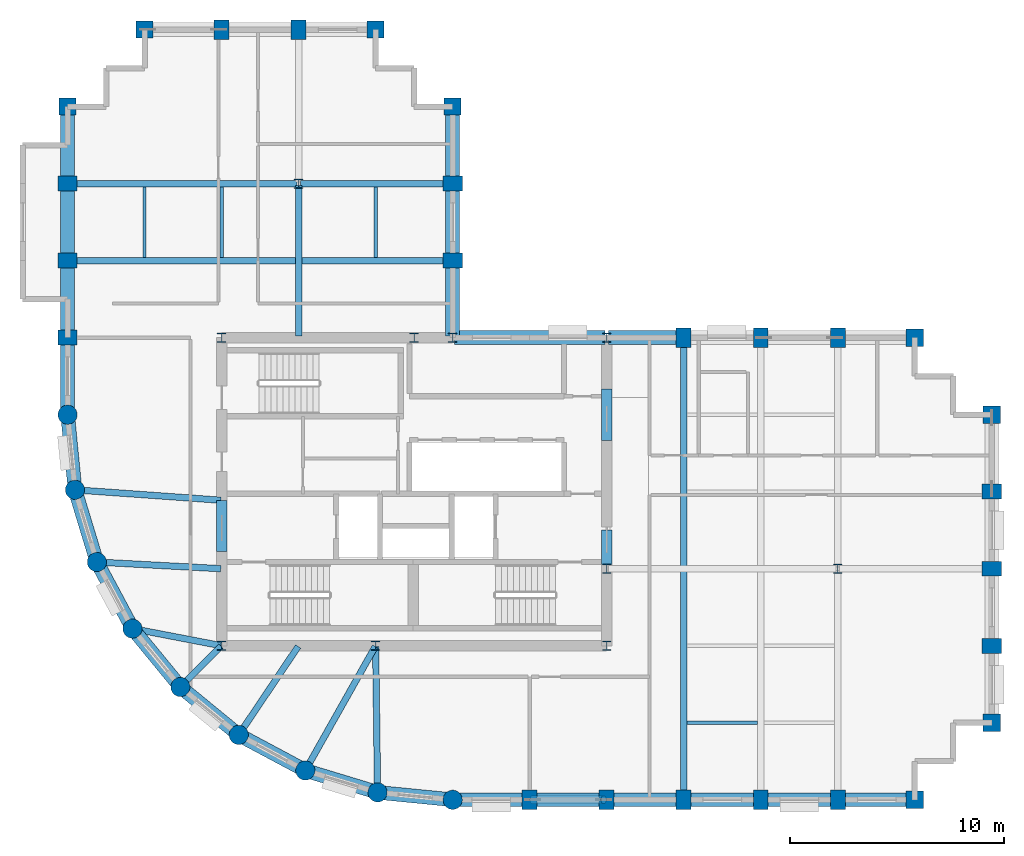
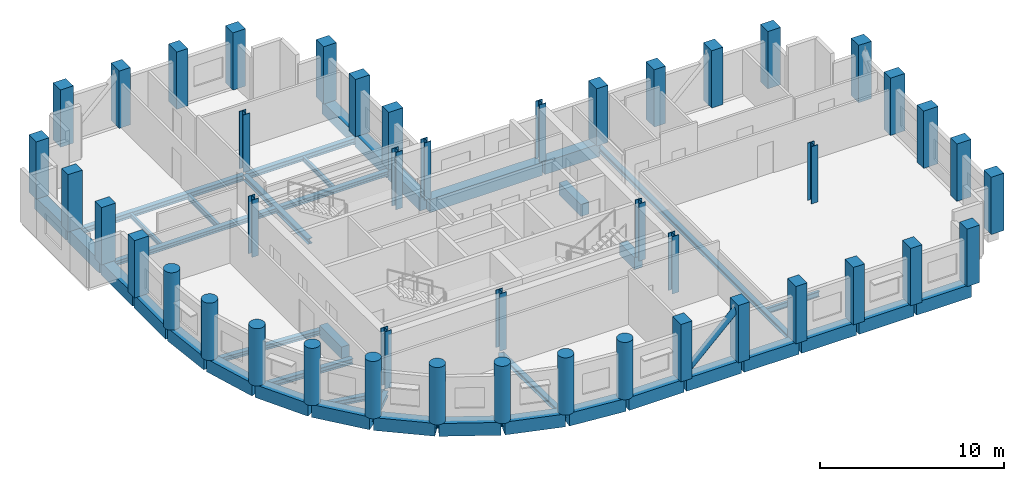
# One storey, part 1 of 8: 45 columns, 42 beams, 1 member.
"""IFC4 building model written with IfcOpenShell, lengths in metres."""

from ifc_helpers import new_model, si_unit, direction, frame, origin, origin_2d, place, context, subcontext, project, spatial, rectangle, circle, hollow_circle, i_section, extrude, material, material_profile, profile_set, type_object, element, save


model = new_model("IFC4")

# Units and contexts
model_context = context("Model", 3, precision=1e-05, world=origin(), true_north=direction((0.0, 1.0)))
body_context = subcontext(model_context, "Body", "Model", "MODEL_VIEW")
ifc_project = project(units=[si_unit("LENGTHUNIT", "METRE"), si_unit("AREAUNIT", "SQUARE_METRE"), si_unit("VOLUMEUNIT", "CUBIC_METRE"), si_unit("PLANEANGLEUNIT", "RADIAN"), si_unit("MASSUNIT", "GRAM", prefix="KILO")], contexts=[model_context])

# Site, building, storey
site_placement = place(None, origin())
site = spatial("IfcSite", under=ifc_project, at=site_placement, CompositionType="ELEMENT")
building_placement = place(site_placement, origin())
building = spatial("IfcBuilding", under=site, at=building_placement, Name="Solnavia Interchange Tower", CompositionType="ELEMENT")
storey_placement = place(building_placement, frame((0.0, 0.0, 190.0)))
storey = spatial("IfcBuildingStorey", under=building, at=storey_placement, Name="L47", CompositionType="ELEMENT", Elevation=190.0)

# Columns
ifc_material_1 = material(Name="Concrete C50/60", Category="concrete")
ifc_material_profile_1 = material_profile(ifc_material_1, rectangle(XDim=0.800048828125, YDim=0.800048828125, at=origin_2d()), Name="RC 800x800")
ifc_profile_set_1 = profile_set([ifc_material_profile_1], Name="Concrete C50/60")
column_type_1 = type_object("IfcColumnType", Name="Col-RC-800x800", PredefinedType="COLUMN", material=ifc_profile_set_1)
for number, where, z_axis, x_axis, name in (
    (1, (7.199951171875, 36.0, 0.0), (0.0, 0.0, 1.0), (0.0, 1.0, 0.0), "COL-L47-05 Tower corner column"),
    (2, (10.800048828125, 39.60009765625, 0.0), (0.0, 0.0, 1.0), (1.0, 0.0, 0.0), "COL-L47-09 Tower corner column"),
    (3, (21.60009765625, 39.60009765625, 0.0), (0.0, 0.0, 1.0), (1.0, 0.0, 0.0), "COL-L47-19 Tower corner column"),
    (4, (25.199951171875, 36.0, 0.0), (0.0, 0.0, 1.0), (0.0, 1.0, 0.0), "COL-L47-26 Tower corner column"),
    (5, (46.800048828125, 3.60009765625, 0.0), (0.0, 0.0, 1.0), (1.0, 0.0, 0.0), "COL-L47-39 Tower corner column"),
    (6, (46.800048828125, 25.199951171875, 0.0), (0.0, 0.0, 1.0), (1.0, 0.0, 0.0), "COL-L47-40 Tower corner column"),
    (7, (50.39990234375, 7.199951171875, 0.0), (0.0, 0.0, 1.0), (1.0, 0.0, 0.0), "COL-L47-41 Tower corner column"),
    (8, (50.39990234375, 21.60009765625, 0.0), (0.0, 0.0, 1.0), (0.0, 1.0, 0.0), "COL-L47-45 Tower corner column"),
):
    element("IfcColumn", number, at=place(storey_placement, frame(where, z_axis=z_axis, x_axis=x_axis)), inside=storey, type_object=column_type_1, Name=name, PredefinedType="COLUMN", context=body_context, shape_type="SweptSolid", body=[
        extrude(rectangle(XDim=0.800048828125, YDim=0.800048828125, at=origin_2d()), origin(), (0.0, 0.0, 1.0), 3.800048828125),
    ])
ifc_material_profile_2 = material_profile(ifc_material_1, rectangle(XDim=0.699951171875, YDim=0.89990234375, at=origin_2d()), Name="RC 900x700")
ifc_profile_set_2 = profile_set([ifc_material_profile_2], Name="Concrete C50/60")
column_type_2 = type_object("IfcColumnType", Name="Col-RC-900x700", PredefinedType="COLUMN", material=ifc_profile_set_2)
for number, where, z_axis, x_axis, name in (
    (9, (7.199951171875, 25.199951171875, 0.0), (0.0, 0.0, 1.0), (0.0, 1.0, 0.0), "COL-L47-02 Tower perim y column"),
    (10, (7.199951171875, 28.800048828125, 0.0), (0.0, 0.0, 1.0), (0.0, 1.0, 0.0), "COL-L47-03 Tower perim y column"),
    (11, (7.199951171875, 32.39990234375, 0.0), (0.0, 0.0, 1.0), (0.0, 1.0, 0.0), "COL-L47-04 Tower perim y column"),
    (12, (14.39990234375, 39.60009765625, 0.0), (0.0, 0.0, 1.0), (1.0, 0.0, 0.0), "COL-L47-13 Tower perim x column"),
    (13, (18.0, 39.60009765625, 0.0), (0.0, 0.0, 1.0), (1.0, 0.0, 0.0), "COL-L47-16 Tower perim x column"),
    (14, (25.199951171875, 28.800048828125, 0.0), (0.0, 0.0, 1.0), (0.0, 1.0, 0.0), "COL-L47-24 Tower perim y column"),
    (15, (25.199951171875, 32.39990234375, 0.0), (0.0, 0.0, 1.0), (0.0, 1.0, 0.0), "COL-L47-25 Tower perim y column"),
    (16, (28.800048828125, 3.60009765625, 0.0), (0.0, 0.0, 1.0), (1.0, 0.0, 0.0), "COL-L47-27 Tower perim x column"),
    (17, (32.39990234375, 3.60009765625, 0.0), (0.0, 0.0, 1.0), (1.0, 0.0, 0.0), "COL-L47-28 Tower perim x column"),
    (18, (36.0, 3.60009765625, 0.0), (0.0, 0.0, 1.0), (1.0, 0.0, 0.0), "COL-L47-32 Tower perim x column"),
    (19, (36.0, 25.199951171875, 0.0), (0.0, 0.0, 1.0), (1.0, 0.0, 0.0), "COL-L47-33 Tower perim x column"),
    (20, (39.60009765625, 3.60009765625, 0.0), (0.0, 0.0, 1.0), (1.0, 0.0, 0.0), "COL-L47-34 Tower perim x column"),
    (21, (39.60009765625, 25.199951171875, 0.0), (0.0, 0.0, 1.0), (1.0, 0.0, 0.0), "COL-L47-35 Tower perim x column"),
    (22, (43.199951171875, 3.60009765625, 0.0), (0.0, 0.0, 1.0), (1.0, 0.0, 0.0), "COL-L47-36 Tower perim x column"),
    (23, (43.199951171875, 25.199951171875, 0.0), (0.0, 0.0, 1.0), (1.0, 0.0, 0.0), "COL-L47-38 Tower perim x column"),
    (24, (50.39990234375, 10.800048828125, 0.0), (0.0, 0.0, 1.0), (0.0, 1.0, 0.0), "COL-L47-42 Tower perim y column"),
    (25, (50.39990234375, 14.39990234375, 0.0), (0.0, 0.0, 1.0), (0.0, 1.0, 0.0), "COL-L47-43 Tower perim y column"),
    (26, (50.39990234375, 18.0, 0.0), (0.0, 0.0, 1.0), (0.0, 1.0, 0.0), "COL-L47-44 Tower perim y column"),
):
    element("IfcColumn", number, at=place(storey_placement, frame(where, z_axis=z_axis, x_axis=x_axis)), inside=storey, type_object=column_type_2, Name=name, PredefinedType="COLUMN", context=body_context, shape_type="SweptSolid", body=[
        extrude(rectangle(XDim=0.699951171875, YDim=0.89990234375, at=origin_2d()), origin(), (0.0, 0.0, 1.0), 3.800048828125),
    ])
ifc_material_profile_3 = material_profile(ifc_material_1, circle(Radius=0.449951171875, at=origin_2d()), Name="RC D900")
ifc_profile_set_3 = profile_set([ifc_material_profile_3], Name="Concrete C50/60")
column_type_3 = type_object("IfcColumnType", Name="Col-RC-D900", PredefinedType="COLUMN", material=ifc_profile_set_3)
for number, where, z_axis, x_axis, name in (
    (27, (7.199951171875, 21.60009765625, 0.0), (0.0, 0.0, 1.0), (1.0, 0.0, 0.0), "COL-L47-01 Tower drum column"),
    (28, (7.5458984375, 18.087890625, 0.0), (0.0, 0.0, 1.0), (1.0, 0.0, 0.0), "COL-L47-06 Tower drum column"),
    (29, (8.570068359375, 14.7119140625, 0.0), (0.0, 0.0, 1.0), (1.0, 0.0, 0.0), "COL-L47-07 Tower drum column"),
    (30, (10.23388671875, 11.60009765625, 0.0), (0.0, 0.0, 1.0), (1.0, 0.0, 0.0), "COL-L47-08 Tower drum column"),
    (31, (12.471923828125, 8.8720703125, 0.0), (0.0, 0.0, 1.0), (1.0, 0.0, 0.0), "COL-L47-10 Tower drum column"),
    (32, (15.199951171875, 6.634033203125, 0.0), (0.0, 0.0, 1.0), (1.0, 0.0, 0.0), "COL-L47-14 Tower drum column"),
    (33, (18.31201171875, 4.969970703125, 0.0), (0.0, 0.0, 1.0), (1.0, 0.0, 0.0), "COL-L47-17 Tower drum column"),
    (34, (21.68798828125, 3.946044921875, 0.0), (0.0, 0.0, 1.0), (1.0, 0.0, 0.0), "COL-L47-20 Tower drum column"),
    (35, (25.199951171875, 3.60009765625, 0.0), (0.0, 0.0, 1.0), (1.0, 0.0, 0.0), "COL-L47-22 Tower drum column"),
):
    element("IfcColumn", number, at=place(storey_placement, frame(where, z_axis=z_axis, x_axis=x_axis)), inside=storey, type_object=column_type_3, Name=name, PredefinedType="COLUMN", context=body_context, shape_type="SweptSolid", body=[
        extrude(circle(Radius=0.449951171875, at=origin_2d()), origin(), (0.0, 0.0, 1.0), 3.800048828125),
    ])
ifc_material_2 = material(Name="Steel S355", Category="steel")
ifc_material_profile_4 = material_profile(ifc_material_2, i_section(OverallWidth=0.416015625, OverallDepth=0.44189453125, WebThickness=0.02490234375, FlangeThickness=0.041015625, FilletRadius=0.014892578125, at=origin_2d()), Name="HD 400x382")
ifc_profile_set_4 = profile_set([ifc_material_profile_4], Name="Steel S355")
column_type_4 = type_object("IfcColumnType", Name="Col-Steel-HD400x382", PredefinedType="COLUMN", material=ifc_profile_set_4)
for number, where, z_axis, x_axis, name in (
    (36, (14.39990234375, 10.800048828125, 0.0), (0.0, 0.0, 1.0), (1.0, 0.0, 0.0), "COL-L47-11 Tower interior column"),
    (37, (14.39990234375, 25.199951171875, 0.0), (0.0, 0.0, 1.0), (1.0, 0.0, 0.0), "COL-L47-12 Tower interior column"),
    (38, (18.0, 32.39990234375, 0.0), (0.0, 0.0, 1.0), (1.0, 0.0, 0.0), "COL-L47-15 Tower interior column"),
    (39, (21.60009765625, 10.800048828125, 0.0), (0.0, 0.0, 1.0), (1.0, 0.0, 0.0), "COL-L47-18 Tower interior column"),
    (40, (23.39990234375, 25.199951171875, 0.0), (0.0, 0.0, 1.0), (1.0, 0.0, 0.0), "COL-L47-21 Tower interior column"),
    (41, (25.199951171875, 25.199951171875, 0.0), (0.0, 0.0, 1.0), (1.0, 0.0, 0.0), "COL-L47-23 Tower interior column"),
    (42, (32.39990234375, 10.800048828125, 0.0), (0.0, 0.0, 1.0), (1.0, 0.0, 0.0), "COL-L47-29 Tower interior column"),
    (43, (32.39990234375, 14.39990234375, 0.0), (0.0, 0.0, 1.0), (1.0, 0.0, 0.0), "COL-L47-30 Tower interior column"),
    (44, (32.39990234375, 25.199951171875, 0.0), (0.0, 0.0, 1.0), (1.0, 0.0, 0.0), "COL-L47-31 Tower interior column"),
    (45, (43.199951171875, 14.39990234375, 0.0), (0.0, 0.0, 1.0), (1.0, 0.0, 0.0), "COL-L47-37 Tower interior column"),
):
    element("IfcColumn", number, at=place(storey_placement, frame(where, z_axis=z_axis, x_axis=x_axis)), inside=storey, type_object=column_type_4, Name=name, PredefinedType="COLUMN", context=body_context, shape_type="SweptSolid", body=[
        extrude(i_section(OverallWidth=0.416015625, OverallDepth=0.44189453125, WebThickness=0.02490234375, FlangeThickness=0.041015625, FilletRadius=0.014892578125, at=origin_2d()), origin(), (0.0, 0.0, 1.0), 3.800048828125),
    ])

# Beams
ifc_material_profile_5 = material_profile(ifc_material_1, rectangle(XDim=0.5, YDim=0.800048828125, at=origin_2d()), Name="RC 500x800")
ifc_profile_set_5 = profile_set([ifc_material_profile_5], Name="Concrete C50/60")
beam_type_1 = type_object("IfcBeamType", Name="Beam-Coupling-RC500x800", PredefinedType="LINTEL", material=ifc_profile_set_5)
beam_1_placement = place(storey_placement, frame((14.39990234375, 15.199951171875, -0.39990234375), z_axis=(0.0, 1.0, 0.0), x_axis=(-1.0, 0.0, 0.0)))
element("IfcBeam", 46, at=beam_1_placement, inside=storey, type_object=beam_type_1, Name="CPB-L47-W1 Core coupling lintel beam", PredefinedType="LINTEL", context=body_context, shape_type="SweptSolid", body=[
    extrude(rectangle(XDim=0.5, YDim=0.800048828125, at=origin_2d()), origin(), (0.0, 0.0, 1.0), 2.400146484375),
])
beam_2_placement = place(storey_placement, frame((32.39990234375, 14.60009765625, -0.39990234375), z_axis=(0.0, 1.0, 0.0), x_axis=(-1.0, 0.0, 0.0)))
element("IfcBeam", 47, at=beam_2_placement, inside=storey, type_object=beam_type_1, Name="CPB-L47-E1 Core coupling lintel beam", PredefinedType="LINTEL", context=body_context, shape_type="SweptSolid", body=[
    extrude(rectangle(XDim=0.5, YDim=0.800048828125, at=origin_2d()), origin(), (0.0, 0.0, 1.0), 1.599853515625),
])
beam_3_placement = place(storey_placement, frame((32.39990234375, 20.39990234375, -0.39990234375), z_axis=(0.0, 1.0, 0.0), x_axis=(-1.0, 0.0, 0.0)))
element("IfcBeam", 48, at=beam_3_placement, inside=storey, type_object=beam_type_1, Name="CPB-L47-E2 Core coupling lintel beam", PredefinedType="LINTEL", context=body_context, shape_type="SweptSolid", body=[
    extrude(rectangle(XDim=0.5, YDim=0.800048828125, at=origin_2d()), origin(), (0.0, 0.0, 1.0), 2.400146484375),
])
ifc_material_3 = material(Name="Steel S460", Category="steel")
ifc_material_profile_6 = material_profile(ifc_material_3, i_section(OverallWidth=0.300048828125, OverallDepth=0.360107421875, WebThickness=0.012451171875, FlangeThickness=0.0224609375, FilletRadius=0.027099609375, at=origin_2d()), Name="HEB 360")
ifc_profile_set_6 = profile_set([ifc_material_profile_6], Name="Steel S460")
beam_type_2 = type_object("IfcBeamType", Name="Beam-Girder-HEB360", PredefinedType="BEAM", material=ifc_profile_set_6)
beam_4_placement = place(storey_placement, frame((18.0, 25.280029296875, -0.429931640625), z_axis=(0.0, 1.0, 0.0), x_axis=(-1.0, 0.0, 0.0)))
element("IfcBeam", 49, at=beam_4_placement, inside=storey, type_object=beam_type_2, Name="GRD-L47-NS07 North wing spine girder", PredefinedType="BEAM", context=body_context, shape_type="SweptSolid", body=[
    extrude(i_section(OverallWidth=0.300048828125, OverallDepth=0.360107421875, WebThickness=0.012451171875, FlangeThickness=0.0224609375, FilletRadius=0.027099609375, at=origin_2d()), origin(), (0.0, 0.0, 1.0), 7.0400390625),
])
beam_5_placement = place(storey_placement, frame((7.280029296875, 32.39990234375, -0.429931640625), z_axis=(1.0, 0.0, 0.0), x_axis=(0.0, 1.0, 0.0)))
element("IfcBeam", 50, at=beam_5_placement, inside=storey, type_object=beam_type_2, Name="GRD-L47-NW10 North wing primary floor girder", PredefinedType="BEAM", context=body_context, shape_type="SweptSolid", body=[
    extrude(i_section(OverallWidth=0.300048828125, OverallDepth=0.360107421875, WebThickness=0.012451171875, FlangeThickness=0.0224609375, FilletRadius=0.027099609375, at=origin_2d()), origin(), (0.0, 0.0, 1.0), 10.639892578125),
])
beam_6_placement = place(storey_placement, frame((18.080078125, 32.39990234375, -0.429931640625), z_axis=(1.0, 0.0, 0.0), x_axis=(0.0, 1.0, 0.0)))
element("IfcBeam", 51, at=beam_6_placement, inside=storey, type_object=beam_type_2, Name="GRD-L47-NW11 North wing primary floor girder", PredefinedType="BEAM", context=body_context, shape_type="SweptSolid", body=[
    extrude(i_section(OverallWidth=0.300048828125, OverallDepth=0.360107421875, WebThickness=0.012451171875, FlangeThickness=0.0224609375, FilletRadius=0.027099609375, at=origin_2d()), origin(), (0.0, 0.0, 1.0), 7.0400390625),
])
beam_7_placement = place(storey_placement, frame((8.64990234375, 14.707763671875, -0.429931640625), z_axis=(0.998570371303, -0.053452909696, 0.0), x_axis=(0.053452909696, 0.998570371303, 0.0)))
element("IfcBeam", 52, at=beam_7_placement, inside=storey, type_object=beam_type_2, Name="GRD-L47-DR13 Drum radial floor girder", PredefinedType="BEAM", context=body_context, shape_type="SweptSolid", body=[
    extrude(i_section(OverallWidth=0.300048828125, OverallDepth=0.360107421875, WebThickness=0.012451171875, FlangeThickness=0.0224609375, FilletRadius=0.027099609375, at=origin_2d()), origin(), (0.0, 0.0, 1.0), 5.71826171875),
])
beam_8_placement = place(storey_placement, frame((15.24462890625, 6.700439453125, -0.429931640625), z_axis=(0.557835474219, 0.829951555033, 0.0), x_axis=(-0.829951555033, 0.557835474219, 0.0)))
element("IfcBeam", 53, at=beam_8_placement, inside=storey, type_object=beam_type_2, Name="GRD-L47-DR16 Drum radial floor girder", PredefinedType="BEAM", context=body_context, shape_type="SweptSolid", body=[
    extrude(i_section(OverallWidth=0.300048828125, OverallDepth=0.360107421875, WebThickness=0.012451171875, FlangeThickness=0.0224609375, FilletRadius=0.027099609375, at=origin_2d()), origin(), (0.0, 0.0, 1.0), 4.899658203125),
])
ifc_material_profile_7 = material_profile(ifc_material_2, i_section(OverallWidth=0.14990234375, OverallDepth=0.300048828125, WebThickness=0.007080078125, FlangeThickness=0.0107421875, FilletRadius=0.014892578125, at=origin_2d()), Name="IPE 300")
ifc_profile_set_7 = profile_set([ifc_material_profile_7], Name="Steel S355")
beam_type_3 = type_object("IfcBeamType", Name="Beam-Joist-IPE300", PredefinedType="JOIST", material=ifc_profile_set_7)
beam_9_placement = place(storey_placement, frame((10.800048828125, 28.949951171875, -0.39990234375), z_axis=(0.0, 1.0, 0.0), x_axis=(-1.0, 0.0, 0.0)))
element("IfcBeam", 54, at=beam_9_placement, inside=storey, type_object=beam_type_3, Name="JST-L47-N09 North wing secondary joist", PredefinedType="JOIST", context=body_context, shape_type="SweptSolid", body=[
    extrude(i_section(OverallWidth=0.14990234375, OverallDepth=0.300048828125, WebThickness=0.007080078125, FlangeThickness=0.0107421875, FilletRadius=0.014892578125, at=origin_2d()), origin(), (0.0, 0.0, 1.0), 3.300048828125),
])
ifc_material_profile_8 = material_profile(ifc_material_2, i_section(OverallWidth=0.159912109375, OverallDepth=0.330078125, WebThickness=0.007568359375, FlangeThickness=0.011474609375, FilletRadius=0.01806640625, at=origin_2d()), Name="IPE 330")
ifc_profile_set_8 = profile_set([ifc_material_profile_8], Name="Steel S355")
beam_type_4 = type_object("IfcBeamType", Name="Beam-Joist-IPE330", PredefinedType="JOIST", material=ifc_profile_set_8)
beam_10_placement = place(storey_placement, frame((21.60009765625, 28.949951171875, -0.4150390625), z_axis=(0.0, 1.0, 0.0), x_axis=(-1.0, 0.0, 0.0)))
element("IfcBeam", 55, at=beam_10_placement, inside=storey, type_object=beam_type_4, Name="JST-L47-N11 North wing secondary joist", PredefinedType="JOIST", context=body_context, shape_type="SweptSolid", body=[
    extrude(i_section(OverallWidth=0.159912109375, OverallDepth=0.330078125, WebThickness=0.007568359375, FlangeThickness=0.011474609375, FilletRadius=0.01806640625, at=origin_2d()), origin(), (0.0, 0.0, 1.0), 3.300048828125),
])
ifc_material_profile_9 = material_profile(ifc_material_2, i_section(OverallWidth=0.169921875, OverallDepth=0.360107421875, WebThickness=0.008056640625, FlangeThickness=0.0126953125, FilletRadius=0.01806640625, at=origin_2d()), Name="IPE 360")
ifc_profile_set_9 = profile_set([ifc_material_profile_9], Name="Steel S355")
beam_type_5 = type_object("IfcBeamType", Name="Beam-Joist-IPE360", PredefinedType="JOIST", material=ifc_profile_set_9)
for number, where, z_axis, x_axis, name in (
    (56, (36.14990234375, 7.199951171875, -0.429931640625), (1.0, 0.0, 0.0), (0.0, 1.0, 0.0), "JST-L47-E01 East wing secondary joist"),
    (57, (14.39990234375, 28.949951171875, -0.429931640625), (0.0, 1.0, 0.0), (-1.0, 0.0, 0.0), "JST-L47-N10 North wing secondary joist"),
):
    element("IfcBeam", number, at=place(storey_placement, frame(where, z_axis=z_axis, x_axis=x_axis)), inside=storey, type_object=beam_type_5, Name=name, PredefinedType="JOIST", context=body_context, shape_type="SweptSolid", body=[
        extrude(i_section(OverallWidth=0.169921875, OverallDepth=0.360107421875, WebThickness=0.008056640625, FlangeThickness=0.0126953125, FilletRadius=0.01806640625, at=origin_2d()), origin(), (0.0, 0.0, 1.0), 3.300048828125),
    ])
ifc_material_profile_10 = material_profile(ifc_material_2, i_section(OverallWidth=0.300048828125, OverallDepth=0.31005859375, WebThickness=0.009033203125, FlangeThickness=0.015380859375, FilletRadius=0.027099609375, at=origin_2d()), Name="HEA 320")
ifc_profile_set_10 = profile_set([ifc_material_profile_10], Name="Steel S355")
beam_type_6 = type_object("IfcBeamType", Name="Beam-Primary-HEA320", PredefinedType="BEAM", material=ifc_profile_set_10)
beam_11_placement = place(storey_placement, frame((36.0, 3.679931640625, -0.405029296875), z_axis=(0.0, 1.0, 0.0), x_axis=(-1.0, 0.0, 0.0)))
element("IfcBeam", 58, at=beam_11_placement, inside=storey, type_object=beam_type_6, Name="GRD-L47-EW03 East wing primary floor girder", PredefinedType="BEAM", context=body_context, shape_type="SweptSolid", body=[
    extrude(i_section(OverallWidth=0.300048828125, OverallDepth=0.31005859375, WebThickness=0.009033203125, FlangeThickness=0.015380859375, FilletRadius=0.027099609375, at=origin_2d()), origin(), (0.0, 0.0, 1.0), 21.440185546875),
])
beam_12_placement = place(storey_placement, frame((7.280029296875, 28.800048828125, -0.405029296875), z_axis=(1.0, 0.0, 0.0), x_axis=(0.0, 1.0, 0.0)))
element("IfcBeam", 59, at=beam_12_placement, inside=storey, type_object=beam_type_6, Name="GRD-L47-NW09 North wing primary floor girder", PredefinedType="BEAM", context=body_context, shape_type="SweptSolid", body=[
    extrude(i_section(OverallWidth=0.300048828125, OverallDepth=0.31005859375, WebThickness=0.009033203125, FlangeThickness=0.015380859375, FilletRadius=0.027099609375, at=origin_2d()), origin(), (0.0, 0.0, 1.0), 17.840087890625),
])
beam_13_placement = place(storey_placement, frame((7.625732421875, 18.082275390625, -0.405029296875), z_axis=(0.99747482749, -0.071020902015, 0.0), x_axis=(0.071020902015, 0.99747482749, 0.0)))
element("IfcBeam", 60, at=beam_13_placement, inside=storey, type_object=beam_type_6, Name="GRD-L47-DR12 Drum radial floor girder", PredefinedType="BEAM", context=body_context, shape_type="SweptSolid", body=[
    extrude(i_section(OverallWidth=0.300048828125, OverallDepth=0.31005859375, WebThickness=0.009033203125, FlangeThickness=0.015380859375, FilletRadius=0.027099609375, at=origin_2d()), origin(), (0.0, 0.0, 1.0), 6.75146484375),
])
beam_14_placement = place(storey_placement, frame((12.528564453125, 8.9287109375, -0.405029296875), z_axis=(0.707106781187, 0.707106781187, 0.0), x_axis=(-0.707106781187, 0.707106781187, 0.0)))
element("IfcBeam", 61, at=beam_14_placement, inside=storey, type_object=beam_type_6, Name="GRD-L47-DR15 Drum radial floor girder", PredefinedType="BEAM", context=body_context, shape_type="SweptSolid", body=[
    extrude(i_section(OverallWidth=0.300048828125, OverallDepth=0.31005859375, WebThickness=0.009033203125, FlangeThickness=0.015380859375, FilletRadius=0.027099609375, at=origin_2d()), origin(), (0.0, 0.0, 1.0), 2.6064453125),
])
beam_15_placement = place(storey_placement, frame((21.68701171875, 4.02587890625, -0.405029296875), z_axis=(-0.01283293513, 0.999917654498, 0.0), x_axis=(-0.999917654498, -0.01283293513, 0.0)))
element("IfcBeam", 62, at=beam_15_placement, inside=storey, type_object=beam_type_6, Name="GRD-L47-DR18 Drum radial floor girder", PredefinedType="BEAM", context=body_context, shape_type="SweptSolid", body=[
    extrude(i_section(OverallWidth=0.300048828125, OverallDepth=0.31005859375, WebThickness=0.009033203125, FlangeThickness=0.015380859375, FilletRadius=0.027099609375, at=origin_2d()), origin(), (0.0, 0.0, 1.0), 6.734619140625),
])
ifc_material_profile_11 = material_profile(ifc_material_2, i_section(OverallWidth=0.300048828125, OverallDepth=0.35009765625, WebThickness=0.010009765625, FlangeThickness=0.017578125, FilletRadius=0.027099609375, at=origin_2d()), Name="HEA 360")
ifc_profile_set_11 = profile_set([ifc_material_profile_11], Name="Steel S355")
beam_type_7 = type_object("IfcBeamType", Name="Beam-Primary-HEA360", PredefinedType="BEAM", material=ifc_profile_set_11)
beam_16_placement = place(storey_placement, frame((10.3125, 11.5849609375, -0.425048828125), z_axis=(0.982057527796, -0.188581579428, 0.0), x_axis=(0.188581579428, 0.982057527796, 0.0)))
element("IfcBeam", 63, at=beam_16_placement, inside=storey, type_object=beam_type_7, Name="GRD-L47-DR14 Drum radial floor girder", PredefinedType="BEAM", context=body_context, shape_type="SweptSolid", body=[
    extrude(i_section(OverallWidth=0.300048828125, OverallDepth=0.35009765625, WebThickness=0.010009765625, FlangeThickness=0.017578125, FilletRadius=0.027099609375, at=origin_2d()), origin(), (0.0, 0.0, 1.0), 4.1220703125),
])
beam_17_placement = place(storey_placement, frame((18.351318359375, 5.039794921875, -0.425048828125), z_axis=(0.491243158486, 0.871022479182, 0.0), x_axis=(-0.871022479182, 0.491243158486, 0.0)))
element("IfcBeam", 64, at=beam_17_placement, inside=storey, type_object=beam_type_7, Name="GRD-L47-DR17 Drum radial floor girder", PredefinedType="BEAM", context=body_context, shape_type="SweptSolid", body=[
    extrude(i_section(OverallWidth=0.300048828125, OverallDepth=0.35009765625, WebThickness=0.010009765625, FlangeThickness=0.017578125, FilletRadius=0.027099609375, at=origin_2d()), origin(), (0.0, 0.0, 1.0), 6.5732421875),
])
ifc_material_profile_12 = material_profile(ifc_material_1, rectangle(XDim=0.64990234375, YDim=0.85009765625, at=origin_2d()), Name="RC 650x850")
ifc_profile_set_12 = profile_set([ifc_material_profile_12], Name="Concrete C50/60")
beam_type_8 = type_object("IfcBeamType", Name="Beam-Spandrel-RC650x850", PredefinedType="SPANDREL", material=ifc_profile_set_12)
beam_18_placement = place(storey_placement, frame((7.207763671875, 21.5205078125, -0.425048828125), z_axis=(0.098040038117, -0.995182471171, 0.0), x_axis=(0.995182471171, 0.098040038117, 0.0)))
element("IfcBeam", 65, at=beam_18_placement, inside=storey, type_object=beam_type_8, Name="SPB-L47-01 Framed-tube perimeter spandrel beam", PredefinedType="SPANDREL", context=body_context, shape_type="SweptSolid", body=[
    extrude(rectangle(XDim=0.64990234375, YDim=0.85009765625, at=origin_2d()), origin(), (0.0, 0.0, 1.0), 3.369140625),
])
beam_19_placement = place(storey_placement, frame((7.569091796875, 18.011474609375, -0.425048828125), z_axis=(0.290319223646, -0.956929855518, 0.0), x_axis=(0.956929855518, 0.290319223646, 0.0)))
element("IfcBeam", 66, at=beam_19_placement, inside=storey, type_object=beam_type_8, Name="SPB-L47-02 Framed-tube perimeter spandrel beam", PredefinedType="SPANDREL", context=body_context, shape_type="SweptSolid", body=[
    extrude(rectangle(XDim=0.64990234375, YDim=0.85009765625, at=origin_2d()), origin(), (0.0, 0.0, 1.0), 3.367919921875),
])
beam_20_placement = place(storey_placement, frame((8.607666015625, 14.6416015625, -0.425048828125), z_axis=(0.471509422952, -0.881861023102, 0.0), x_axis=(0.881861023102, 0.471509422952, 0.0)))
element("IfcBeam", 67, at=beam_20_placement, inside=storey, type_object=beam_type_8, Name="SPB-L47-03 Framed-tube perimeter spandrel beam", PredefinedType="SPANDREL", context=body_context, shape_type="SweptSolid", body=[
    extrude(rectangle(XDim=0.64990234375, YDim=0.85009765625, at=origin_2d()), origin(), (0.0, 0.0, 1.0), 3.369140625),
])
for number, where, z_axis, x_axis, name in (
    (68, (10.28466796875, 11.5380859375, -0.425048828125), (0.634298841675, -0.773087950656, 0.0), (0.773087950656, 0.634298841675, 0.0), "SPB-L47-04 Framed-tube perimeter spandrel beam"),
    (69, (12.53369140625, 8.8212890625, -0.425048828125), (0.773152644452, -0.634219984214, 0.0), (0.634219984214, 0.773152644452, 0.0), "SPB-L47-05 Framed-tube perimeter spandrel beam"),
):
    element("IfcBeam", number, at=place(storey_placement, frame(where, z_axis=z_axis, x_axis=x_axis)), inside=storey, type_object=beam_type_8, Name=name, PredefinedType="SPANDREL", context=body_context, shape_type="SweptSolid", body=[
        extrude(rectangle(XDim=0.64990234375, YDim=0.85009765625, at=origin_2d()), origin(), (0.0, 0.0, 1.0), 3.36865234375),
    ])
beam_21_placement = place(storey_placement, frame((15.2705078125, 6.59619140625, -0.425048828125), z_axis=(0.881875044348, -0.47148319817, 0.0), x_axis=(0.47148319817, 0.881875044348, 0.0)))
element("IfcBeam", 70, at=beam_21_placement, inside=storey, type_object=beam_type_8, Name="SPB-L47-06 Framed-tube perimeter spandrel beam", PredefinedType="SPANDREL", context=body_context, shape_type="SweptSolid", body=[
    extrude(rectangle(XDim=0.64990234375, YDim=0.85009765625, at=origin_2d()), origin(), (0.0, 0.0, 1.0), 3.368896484375),
])
beam_22_placement = place(storey_placement, frame((18.388671875, 4.94677734375, -0.425048828125), z_axis=(0.956943884494, -0.290272978297, 0.0), x_axis=(0.290272978297, 0.956943884494, 0.0)))
element("IfcBeam", 71, at=beam_22_placement, inside=storey, type_object=beam_type_8, Name="SPB-L47-07 Framed-tube perimeter spandrel beam", PredefinedType="SPANDREL", context=body_context, shape_type="SweptSolid", body=[
    extrude(rectangle(XDim=0.64990234375, YDim=0.85009765625, at=origin_2d()), origin(), (0.0, 0.0, 1.0), 3.36767578125),
])
beam_23_placement = place(storey_placement, frame((21.767578125, 3.938232421875, -0.425048828125), z_axis=(0.995181774609, -0.098047108501, 0.0), x_axis=(0.098047108501, 0.995181774609, 0.0)))
element("IfcBeam", 72, at=beam_23_placement, inside=storey, type_object=beam_type_8, Name="SPB-L47-08 Framed-tube perimeter spandrel beam", PredefinedType="SPANDREL", context=body_context, shape_type="SweptSolid", body=[
    extrude(rectangle(XDim=0.64990234375, YDim=0.85009765625, at=origin_2d()), origin(), (0.0, 0.0, 1.0), 3.368896484375),
])
beam_24_placement = place(storey_placement, frame((25.280029296875, 3.60009765625, -0.425048828125), z_axis=(1.0, 0.0, 0.0), x_axis=(0.0, 1.0, 0.0)))
element("IfcBeam", 73, at=beam_24_placement, inside=storey, type_object=beam_type_8, Name="SPB-L47-09 Framed-tube perimeter spandrel beam", PredefinedType="SPANDREL", context=body_context, shape_type="SweptSolid", body=[
    extrude(rectangle(XDim=0.64990234375, YDim=0.85009765625, at=origin_2d()), origin(), (0.0, 0.0, 1.0), 3.43994140625),
])
beam_25_placement = place(storey_placement, frame((28.8798828125, 3.60009765625, -0.425048828125), z_axis=(1.0, 0.0, 0.0), x_axis=(0.0, 1.0, 0.0)))
element("IfcBeam", 74, at=beam_25_placement, inside=storey, type_object=beam_type_8, Name="SPB-L47-10 Framed-tube perimeter spandrel beam", PredefinedType="SPANDREL", context=body_context, shape_type="SweptSolid", body=[
    extrude(rectangle(XDim=0.64990234375, YDim=0.85009765625, at=origin_2d()), origin(), (0.0, 0.0, 1.0), 3.440185546875),
])
for number, where, z_axis, x_axis, name in (
    (75, (32.47998046875, 3.60009765625, -0.425048828125), (1.0, 0.0, 0.0), (0.0, 1.0, 0.0), "SPB-L47-11 Framed-tube perimeter spandrel beam"),
    (76, (36.080078125, 3.60009765625, -0.425048828125), (1.0, 0.0, 0.0), (0.0, 1.0, 0.0), "SPB-L47-12 Framed-tube perimeter spandrel beam"),
):
    element("IfcBeam", number, at=place(storey_placement, frame(where, z_axis=z_axis, x_axis=x_axis)), inside=storey, type_object=beam_type_8, Name=name, PredefinedType="SPANDREL", context=body_context, shape_type="SweptSolid", body=[
        extrude(rectangle(XDim=0.64990234375, YDim=0.85009765625, at=origin_2d()), origin(), (0.0, 0.0, 1.0), 3.43994140625),
    ])
beam_26_placement = place(storey_placement, frame((39.679931640625, 3.60009765625, -0.425048828125), z_axis=(1.0, 0.0, 0.0), x_axis=(0.0, 1.0, 0.0)))
element("IfcBeam", 77, at=beam_26_placement, inside=storey, type_object=beam_type_8, Name="SPB-L47-13 Framed-tube perimeter spandrel beam", PredefinedType="SPANDREL", context=body_context, shape_type="SweptSolid", body=[
    extrude(rectangle(XDim=0.64990234375, YDim=0.85009765625, at=origin_2d()), origin(), (0.0, 0.0, 1.0), 3.440185546875),
])
for number, where, z_axis, x_axis, name in (
    (78, (43.280029296875, 3.60009765625, -0.425048828125), (1.0, 0.0, 0.0), (0.0, 1.0, 0.0), "SPB-L47-14 Framed-tube perimeter spandrel beam"),
    (79, (35.919921875, 25.199951171875, -0.425048828125), (-1.0, 0.0, 0.0), (0.0, -1.0, 0.0), "SPB-L47-22 Framed-tube perimeter spandrel beam"),
):
    element("IfcBeam", number, at=place(storey_placement, frame(where, z_axis=z_axis, x_axis=x_axis)), inside=storey, type_object=beam_type_8, Name=name, PredefinedType="SPANDREL", context=body_context, shape_type="SweptSolid", body=[
        extrude(rectangle(XDim=0.64990234375, YDim=0.85009765625, at=origin_2d()), origin(), (0.0, 0.0, 1.0), 3.43994140625),
    ])
beam_27_placement = place(storey_placement, frame((32.320068359375, 25.199951171875, -0.425048828125), z_axis=(-1.0, 0.0, 0.0), x_axis=(0.0, -1.0, 0.0)))
element("IfcBeam", 80, at=beam_27_placement, inside=storey, type_object=beam_type_8, Name="SPB-L47-23 Framed-tube perimeter spandrel beam", PredefinedType="SPANDREL", context=body_context, shape_type="SweptSolid", body=[
    extrude(rectangle(XDim=0.64990234375, YDim=0.85009765625, at=origin_2d()), origin(), (0.0, 0.0, 1.0), 7.0400390625),
])
beam_28_placement = place(storey_placement, frame((25.199951171875, 25.280029296875, -0.425048828125), z_axis=(0.0, 1.0, 0.0), x_axis=(-1.0, 0.0, 0.0)))
element("IfcBeam", 81, at=beam_28_placement, inside=storey, type_object=beam_type_8, Name="SPB-L47-24 Framed-tube perimeter spandrel beam", PredefinedType="SPANDREL", context=body_context, shape_type="SweptSolid", body=[
    extrude(rectangle(XDim=0.64990234375, YDim=0.85009765625, at=origin_2d()), origin(), (0.0, 0.0, 1.0), 3.43994140625),
])
beam_29_placement = place(storey_placement, frame((25.199951171875, 28.8798828125, -0.425048828125), z_axis=(0.0, 1.0, 0.0), x_axis=(-1.0, 0.0, 0.0)))
element("IfcBeam", 82, at=beam_29_placement, inside=storey, type_object=beam_type_8, Name="SPB-L47-25 Framed-tube perimeter spandrel beam", PredefinedType="SPANDREL", context=body_context, shape_type="SweptSolid", body=[
    extrude(rectangle(XDim=0.64990234375, YDim=0.85009765625, at=origin_2d()), origin(), (0.0, 0.0, 1.0), 3.440185546875),
])
for number, where, z_axis, x_axis, name in (
    (83, (25.199951171875, 32.47998046875, -0.425048828125), (0.0, 1.0, 0.0), (-1.0, 0.0, 0.0), "SPB-L47-26 Framed-tube perimeter spandrel beam"),
    (84, (7.199951171875, 35.919921875, -0.425048828125), (0.0, -1.0, 0.0), (1.0, 0.0, 0.0), "SPB-L47-30 Framed-tube perimeter spandrel beam"),
):
    element("IfcBeam", number, at=place(storey_placement, frame(where, z_axis=z_axis, x_axis=x_axis)), inside=storey, type_object=beam_type_8, Name=name, PredefinedType="SPANDREL", context=body_context, shape_type="SweptSolid", body=[
        extrude(rectangle(XDim=0.64990234375, YDim=0.85009765625, at=origin_2d()), origin(), (0.0, 0.0, 1.0), 3.43994140625),
    ])
beam_30_placement = place(storey_placement, frame((7.199951171875, 32.320068359375, -0.425048828125), z_axis=(0.0, -1.0, 0.0), x_axis=(1.0, 0.0, 0.0)))
element("IfcBeam", 85, at=beam_30_placement, inside=storey, type_object=beam_type_8, Name="SPB-L47-31 Framed-tube perimeter spandrel beam", PredefinedType="SPANDREL", context=body_context, shape_type="SweptSolid", body=[
    extrude(rectangle(XDim=0.64990234375, YDim=0.85009765625, at=origin_2d()), origin(), (0.0, 0.0, 1.0), 3.440185546875),
])
beam_31_placement = place(storey_placement, frame((7.199951171875, 28.719970703125, -0.425048828125), z_axis=(0.0, -1.0, 0.0), x_axis=(1.0, 0.0, 0.0)))
element("IfcBeam", 86, at=beam_31_placement, inside=storey, type_object=beam_type_8, Name="SPB-L47-32 Framed-tube perimeter spandrel beam", PredefinedType="SPANDREL", context=body_context, shape_type="SweptSolid", body=[
    extrude(rectangle(XDim=0.64990234375, YDim=0.85009765625, at=origin_2d()), origin(), (0.0, 0.0, 1.0), 3.43994140625),
])
beam_32_placement = place(storey_placement, frame((7.199951171875, 25.1201171875, -0.425048828125), z_axis=(0.0, -1.0, 0.0), x_axis=(1.0, 0.0, 0.0)))
element("IfcBeam", 87, at=beam_32_placement, inside=storey, type_object=beam_type_8, Name="SPB-L47-33 Framed-tube perimeter spandrel beam", PredefinedType="SPANDREL", context=body_context, shape_type="SweptSolid", body=[
    extrude(rectangle(XDim=0.64990234375, YDim=0.85009765625, at=origin_2d()), origin(), (0.0, 0.0, 1.0), 3.440185546875),
])

# Member
ifc_material_profile_13 = material_profile(ifc_material_3, hollow_circle(Radius=0.203125, WallThickness=0.02001953125, at=origin_2d()), Name="CHS 406.4x20")
ifc_profile_set_13 = profile_set([ifc_material_profile_13], Name="Steel S460")
member_type = type_object("IfcMemberType", Name="Brace-Perim-CHS406", PredefinedType="BRACE", material=ifc_profile_set_13)
member_placement = place(storey_placement, frame((28.93994140625, 3.60009765625, 0.179931640625), z_axis=(0.721070427335, 0.0, 0.692861774688), x_axis=(0.0, 1.0, 0.0)))
element("IfcMember", 88, at=member_placement, inside=storey, type_object=member_type, Name="BRC-L47-01 Perimeter tube diagonal brace", PredefinedType="BRACE", context=body_context, shape_type="SweptSolid", body=[
    extrude(hollow_circle(Radius=0.203125, WallThickness=0.02001953125, at=origin_2d()), origin(), (0.0, 0.0, 1.0), 4.604248046875),
])

save(model, "model.ifc")
